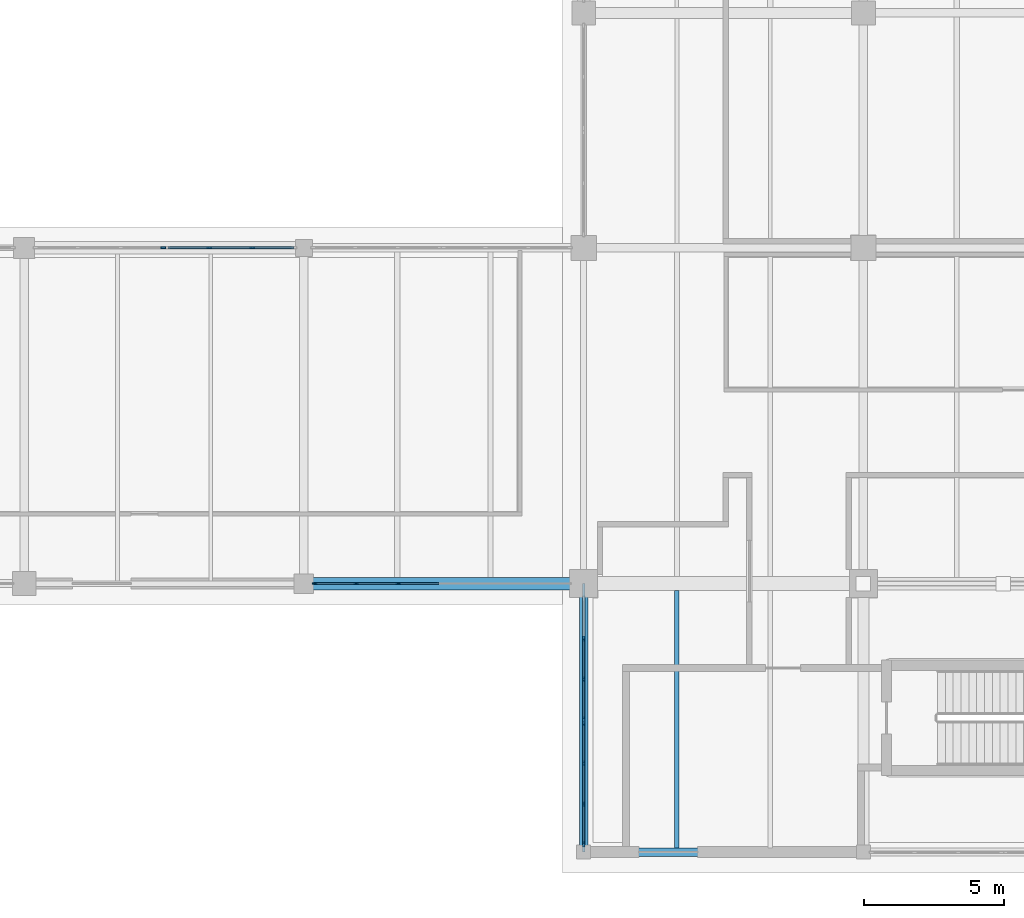
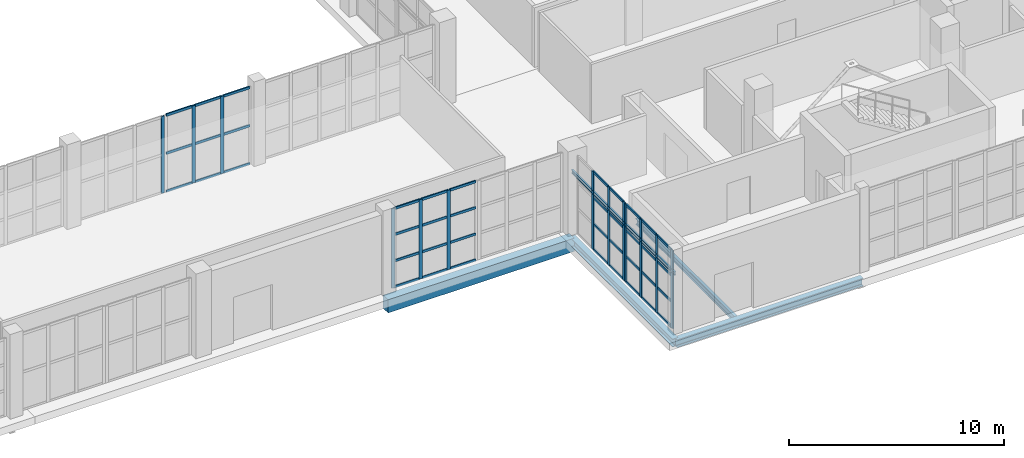
# One storey, part 31 of 121: 54 members, 5 beams, 5 elements without a shape of their own.
"""IFC4 building model written with IfcOpenShell, lengths in metres."""

from ifc_helpers import new_model, si_unit, direction, frame, origin, origin_2d, place, context, subcontext, project, spatial, rectangle, i_section, extrude, material, layer, layer_set, material_profile, profile_set, type_object, element, aggregate, save


model = new_model("IFC4")

# Units and contexts
model_context = context("Model", 3, precision=1e-05, world=origin(), true_north=direction((0.0, 1.0)))
body_context = subcontext(model_context, "Body", "Model", "MODEL_VIEW")
ifc_project = project(units=[si_unit("LENGTHUNIT", "METRE"), si_unit("AREAUNIT", "SQUARE_METRE"), si_unit("VOLUMEUNIT", "CUBIC_METRE"), si_unit("PLANEANGLEUNIT", "RADIAN"), si_unit("MASSUNIT", "GRAM", prefix="KILO")], contexts=[model_context])

# Site, building, storey
site_placement = place(None, origin())
site = spatial("IfcSite", under=ifc_project, at=site_placement, CompositionType="ELEMENT")
building_placement = place(site_placement, origin())
building = spatial("IfcBuilding", under=site, at=building_placement, Name="Zereglee Splitstone Museum", CompositionType="ELEMENT")
storey_placement = place(building_placement, origin())
storey = spatial("IfcBuildingStorey", under=building, at=storey_placement, Name="L00", CompositionType="ELEMENT", Elevation=0.0)

# Curtain wall, members
ifc_material_1 = material(Name="Triple-glazed low-E argon glass and bronze-anodised aluminium", Category="aluminium")
ifc_layer_1 = layer(ifc_material_1, 0.179931640625)
ifc_layer_set_1 = layer_set([ifc_layer_1], Name="Triple-glazed low-E argon glass and bronze-anodised aluminium")
curtain_wall_type_1 = type_object("IfcCurtainWallType", Name="CW-0461-438", PredefinedType="USERDEFINED", material=ifc_layer_set_1)
curtain_wall_1_placement = place(storey_placement, origin())
curtain_wall_1 = element("IfcCurtainWall", 1, at=curtain_wall_1_placement, inside=storey, type_object=curtain_wall_type_1, Name="Glazed Curtain Wall CW-0461-438 (L00)", ObjectType="GLAZED CURTAIN WALL", PredefinedType="USERDEFINED")
ifc_material_2 = material(Name="Thermally broken bronze-anodised aluminium", Category="aluminium")
ifc_material_profile_1 = material_profile(ifc_material_2, rectangle(XDim=0.06494140625, YDim=0.179931640625, at=origin_2d()), Name="CW MULL 65x180")
ifc_profile_set_1 = profile_set([ifc_material_profile_1], Name="Thermally broken bronze-anodised aluminium")
member_type_1 = type_object("IfcMemberType", Name="CWM-01", PredefinedType="MULLION", material=ifc_profile_set_1)
member_1_placement = place(storey_placement, frame((163.353759765625, 21.60009765625, 0.0), z_axis=(0.0, 0.0, 1.0), x_axis=(0.0, -1.0, 0.0)))
member_1 = element("IfcMember", 2, at=member_1_placement, type_object=member_type_1, Name="CW-0461-438 mullion 2", PredefinedType="MULLION", context=body_context, shape_type="SweptSolid", body=[
    extrude(rectangle(XDim=0.06494140625, YDim=0.179931640625, at=origin_2d()), origin(), (0.0, 0.0, 1.0), 4.3798828125),
])
member_2_placement = place(storey_placement, frame((161.815673828125, 21.60009765625, 0.0), z_axis=(0.0, 0.0, 1.0), x_axis=(0.0, -1.0, 0.0)))
member_2 = element("IfcMember", 3, at=member_2_placement, type_object=member_type_1, Name="CW-0461-438 mullion 3", PredefinedType="MULLION", context=body_context, shape_type="SweptSolid", body=[
    extrude(rectangle(XDim=0.06494140625, YDim=0.179931640625, at=origin_2d()), origin(), (0.0, 0.0, 1.0), 4.3798828125),
])

# Curtain wall, member
ifc_layer_2 = layer(ifc_material_1, 0.179931640625)
ifc_layer_set_2 = layer_set([ifc_layer_2], Name="Triple-glazed low-E argon glass and bronze-anodised aluminium")
curtain_wall_type_2 = type_object("IfcCurtainWallType", Name="CW-0461-436", PredefinedType="USERDEFINED", material=ifc_layer_set_2)
curtain_wall_2_placement = place(storey_placement, origin())
curtain_wall_2 = element("IfcCurtainWall", 4, at=curtain_wall_2_placement, inside=storey, type_object=curtain_wall_type_2, Name="Glazed Curtain Wall CW-0461-436 (L00)", ObjectType="GLAZED CURTAIN WALL", PredefinedType="USERDEFINED")
member_3_placement = place(storey_placement, frame((160.1650390625, 21.60009765625, 0.0), z_axis=(0.0, 0.0, 1.0), x_axis=(0.0, -1.0, 0.0)))
member_3 = element("IfcMember", 5, at=member_3_placement, type_object=member_type_1, Name="CW-0461-436 mullion 1", PredefinedType="MULLION", context=body_context, shape_type="SweptSolid", body=[
    extrude(rectangle(XDim=0.06494140625, YDim=0.179931640625, at=origin_2d()), origin(), (0.0, 0.0, 1.0), 4.360107421875),
])
aggregate(curtain_wall_2, [member_3])

# Curtain wall, members
ifc_layer_3 = layer(ifc_material_1, 0.179931640625)
ifc_layer_set_3 = layer_set([ifc_layer_3], Name="Triple-glazed low-E argon glass and bronze-anodised aluminium")
curtain_wall_type_3 = type_object("IfcCurtainWallType", Name="CW-0453-450", PredefinedType="USERDEFINED", material=ifc_layer_set_3)
curtain_wall_3_placement = place(storey_placement, origin())
curtain_wall_3 = element("IfcCurtainWall", 6, at=curtain_wall_3_placement, inside=storey, type_object=curtain_wall_type_3, Name="Glazed Curtain Wall CW-0453-450 (L00)", ObjectType="GLAZED CURTAIN WALL", PredefinedType="USERDEFINED")
member_4_placement = place(storey_placement, frame((165.590576171875, 9.60009765625, 0.0), z_axis=(0.0, 0.0, 1.0), x_axis=(0.0, 1.0, 0.0)))
member_4 = element("IfcMember", 7, at=member_4_placement, type_object=member_type_1, Name="CW-0453-450 mullion 1", PredefinedType="MULLION", context=body_context, shape_type="SweptSolid", body=[
    extrude(rectangle(XDim=0.06494140625, YDim=0.179931640625, at=origin_2d()), origin(), (0.0, 0.0, 1.0), 4.5),
])
member_5_placement = place(storey_placement, frame((167.06689453125, 9.60009765625, 0.0), z_axis=(0.0, 0.0, 1.0), x_axis=(0.0, 1.0, 0.0)))
member_5 = element("IfcMember", 8, at=member_5_placement, type_object=member_type_1, Name="CW-0453-450 mullion 2", PredefinedType="MULLION", context=body_context, shape_type="SweptSolid", body=[
    extrude(rectangle(XDim=0.06494140625, YDim=0.179931640625, at=origin_2d()), origin(), (0.0, 0.0, 1.0), 4.5),
])
member_6_placement = place(storey_placement, frame((168.575927734375, 9.60009765625, 0.0), z_axis=(0.0, 0.0, 1.0), x_axis=(0.0, 1.0, 0.0)))
member_6 = element("IfcMember", 9, at=member_6_placement, type_object=member_type_1, Name="CW-0453-450 mullion 3", PredefinedType="MULLION", context=body_context, shape_type="SweptSolid", body=[
    extrude(rectangle(XDim=0.06494140625, YDim=0.179931640625, at=origin_2d()), origin(), (0.0, 0.0, 1.0), 4.5),
])

ifc_layer_4 = layer(ifc_material_1, 0.179931640625)
ifc_layer_set_4 = layer_set([ifc_layer_4], Name="Triple-glazed low-E argon glass and bronze-anodised aluminium")
curtain_wall_type_4 = type_object("IfcCurtainWallType", Name="CW-0438-444", PredefinedType="USERDEFINED", material=ifc_layer_set_4)
curtain_wall_4_placement = place(storey_placement, origin())
curtain_wall_4 = element("IfcCurtainWall", 10, at=curtain_wall_4_placement, inside=storey, type_object=curtain_wall_type_4, Name="Glazed Curtain Wall CW-0438-444 (L00)", ObjectType="GLAZED CURTAIN WALL", PredefinedType="USERDEFINED")
member_7_placement = place(storey_placement, frame((175.199951171875, 7.633056640625, 0.0), z_axis=(0.0, 0.0, 1.0), x_axis=(1.0, 0.0, 0.0)))
member_7 = element("IfcMember", 11, at=member_7_placement, type_object=member_type_1, Name="CW-0438-444 mullion 2", PredefinedType="MULLION", context=body_context, shape_type="SweptSolid", body=[
    extrude(rectangle(XDim=0.06494140625, YDim=0.179931640625, at=origin_2d()), origin(), (0.0, 0.0, 1.0), 4.43994140625),
])
member_8_placement = place(storey_placement, frame((175.199951171875, 6.174072265625, 0.0), z_axis=(0.0, 0.0, 1.0), x_axis=(1.0, 0.0, 0.0)))
member_8 = element("IfcMember", 12, at=member_8_placement, type_object=member_type_1, Name="CW-0438-444 mullion 3", PredefinedType="MULLION", context=body_context, shape_type="SweptSolid", body=[
    extrude(rectangle(XDim=0.06494140625, YDim=0.179931640625, at=origin_2d()), origin(), (0.0, 0.0, 1.0), 4.43994140625),
])
member_9_placement = place(storey_placement, frame((175.199951171875, 4.74755859375, 0.0), z_axis=(0.0, 0.0, 1.0), x_axis=(1.0, 0.0, 0.0)))
member_9 = element("IfcMember", 13, at=member_9_placement, type_object=member_type_1, Name="CW-0438-444 mullion 4", PredefinedType="MULLION", context=body_context, shape_type="SweptSolid", body=[
    extrude(rectangle(XDim=0.06494140625, YDim=0.179931640625, at=origin_2d()), origin(), (0.0, 0.0, 1.0), 4.43994140625),
])

ifc_layer_5 = layer(ifc_material_1, 0.179931640625)
ifc_layer_set_5 = layer_set([ifc_layer_5], Name="Triple-glazed low-E argon glass and bronze-anodised aluminium")
curtain_wall_type_5 = type_object("IfcCurtainWallType", Name="CW-0438-442", PredefinedType="USERDEFINED", material=ifc_layer_set_5)
curtain_wall_5_placement = place(storey_placement, origin())
curtain_wall_5 = element("IfcCurtainWall", 14, at=curtain_wall_5_placement, inside=storey, type_object=curtain_wall_type_5, Name="Glazed Curtain Wall CW-0438-442 (L00)", ObjectType="GLAZED CURTAIN WALL", PredefinedType="USERDEFINED")
member_10_placement = place(storey_placement, frame((175.199951171875, 4.6025390625, 0.0), z_axis=(0.0, 0.0, 1.0), x_axis=(1.0, 0.0, 0.0)))
member_10 = element("IfcMember", 15, at=member_10_placement, type_object=member_type_1, Name="CW-0438-442 mullion 1", PredefinedType="MULLION", context=body_context, shape_type="SweptSolid", body=[
    extrude(rectangle(XDim=0.06494140625, YDim=0.179931640625, at=origin_2d()), origin(), (0.0, 0.0, 1.0), 4.419921875),
])
member_11_placement = place(storey_placement, frame((175.199951171875, 3.176025390625, 0.0), z_axis=(0.0, 0.0, 1.0), x_axis=(1.0, 0.0, 0.0)))
member_11 = element("IfcMember", 16, at=member_11_placement, type_object=member_type_1, Name="CW-0438-442 mullion 2", PredefinedType="MULLION", context=body_context, shape_type="SweptSolid", body=[
    extrude(rectangle(XDim=0.06494140625, YDim=0.179931640625, at=origin_2d()), origin(), (0.0, 0.0, 1.0), 4.419921875),
])
member_12_placement = place(storey_placement, frame((175.199951171875, 1.717041015625, 0.0), z_axis=(0.0, 0.0, 1.0), x_axis=(1.0, 0.0, 0.0)))
member_12 = element("IfcMember", 17, at=member_12_placement, type_object=member_type_1, Name="CW-0438-442 mullion 3", PredefinedType="MULLION", context=body_context, shape_type="SweptSolid", body=[
    extrude(rectangle(XDim=0.06494140625, YDim=0.179931640625, at=origin_2d()), origin(), (0.0, 0.0, 1.0), 4.419921875),
])
member_13_placement = place(storey_placement, frame((175.199951171875, 0.29052734375, 0.0), z_axis=(0.0, 0.0, 1.0), x_axis=(1.0, 0.0, 0.0)))
member_13 = element("IfcMember", 18, at=member_13_placement, type_object=member_type_1, Name="CW-0438-442 mullion 4", PredefinedType="MULLION", context=body_context, shape_type="SweptSolid", body=[
    extrude(rectangle(XDim=0.06494140625, YDim=0.179931640625, at=origin_2d()), origin(), (0.0, 0.0, 1.0), 4.419921875),
])

# Member
ifc_material_profile_2 = material_profile(ifc_material_2, rectangle(XDim=0.06494140625, YDim=0.139892578125, at=origin_2d()), Name="CW TRAN 65x140")
ifc_profile_set_2 = profile_set([ifc_material_profile_2], Name="Thermally broken bronze-anodised aluminium")
member_type_2 = type_object("IfcMemberType", Name="CWT-01", PredefinedType="USERDEFINED", material=ifc_profile_set_2)
member_14_placement = place(storey_placement, frame((164.826904296875, 21.60009765625, 0.032470703125), z_axis=(-1.0, 0.0, 0.0), x_axis=(0.0, -1.0, 0.0)))
member_14 = element("IfcMember", 19, at=member_14_placement, type_object=member_type_2, Name="CW-0461-438 transom 1.1", ObjectType="TRANSOM", PredefinedType="USERDEFINED", context=body_context, shape_type="SweptSolid", body=[
    extrude(rectangle(XDim=0.06494140625, YDim=0.139892578125, at=origin_2d()), origin(), (0.0, 0.0, 1.0), 1.440673828125),
])

member_15_placement = place(storey_placement, frame((164.826904296875, 21.60009765625, 2.18994140625), z_axis=(-1.0, 0.0, 0.0), x_axis=(0.0, -1.0, 0.0)))
member_15 = element("IfcMember", 20, at=member_15_placement, type_object=member_type_2, Name="CW-0461-438 transom 1.2", ObjectType="TRANSOM", PredefinedType="USERDEFINED", context=body_context, shape_type="SweptSolid", body=[
    extrude(rectangle(XDim=0.06494140625, YDim=0.139892578125, at=origin_2d()), origin(), (0.0, 0.0, 1.0), 1.440673828125),
])

member_16_placement = place(storey_placement, frame((164.826904296875, 21.60009765625, 4.347412109375), z_axis=(-1.0, 0.0, 0.0), x_axis=(0.0, -1.0, 0.0)))
member_16 = element("IfcMember", 21, at=member_16_placement, type_object=member_type_2, Name="CW-0461-438 transom 1.3", ObjectType="TRANSOM", PredefinedType="USERDEFINED", context=body_context, shape_type="SweptSolid", body=[
    extrude(rectangle(XDim=0.06494140625, YDim=0.139892578125, at=origin_2d()), origin(), (0.0, 0.0, 1.0), 1.440673828125),
])

member_17_placement = place(storey_placement, frame((163.3212890625, 21.60009765625, 0.032470703125), z_axis=(-1.0, 0.0, 0.0), x_axis=(0.0, -1.0, 0.0)))
member_17 = element("IfcMember", 22, at=member_17_placement, type_object=member_type_2, Name="CW-0461-438 transom 2.1", ObjectType="TRANSOM", PredefinedType="USERDEFINED", context=body_context, shape_type="SweptSolid", body=[
    extrude(rectangle(XDim=0.06494140625, YDim=0.139892578125, at=origin_2d()), origin(), (0.0, 0.0, 1.0), 1.47314453125),
])

member_18_placement = place(storey_placement, frame((163.3212890625, 21.60009765625, 2.18994140625), z_axis=(-1.0, 0.0, 0.0), x_axis=(0.0, -1.0, 0.0)))
member_18 = element("IfcMember", 23, at=member_18_placement, type_object=member_type_2, Name="CW-0461-438 transom 2.2", ObjectType="TRANSOM", PredefinedType="USERDEFINED", context=body_context, shape_type="SweptSolid", body=[
    extrude(rectangle(XDim=0.06494140625, YDim=0.139892578125, at=origin_2d()), origin(), (0.0, 0.0, 1.0), 1.47314453125),
])

member_19_placement = place(storey_placement, frame((163.3212890625, 21.60009765625, 4.347412109375), z_axis=(-1.0, 0.0, 0.0), x_axis=(0.0, -1.0, 0.0)))
member_19 = element("IfcMember", 24, at=member_19_placement, type_object=member_type_2, Name="CW-0461-438 transom 2.3", ObjectType="TRANSOM", PredefinedType="USERDEFINED", context=body_context, shape_type="SweptSolid", body=[
    extrude(rectangle(XDim=0.06494140625, YDim=0.139892578125, at=origin_2d()), origin(), (0.0, 0.0, 1.0), 1.47314453125),
])

member_20_placement = place(storey_placement, frame((161.783203125, 21.60009765625, 0.032470703125), z_axis=(-1.0, 0.0, 0.0), x_axis=(0.0, -1.0, 0.0)))
member_20 = element("IfcMember", 25, at=member_20_placement, type_object=member_type_2, Name="CW-0461-438 transom 3.1", ObjectType="TRANSOM", PredefinedType="USERDEFINED", context=body_context, shape_type="SweptSolid", body=[
    extrude(rectangle(XDim=0.06494140625, YDim=0.139892578125, at=origin_2d()), origin(), (0.0, 0.0, 1.0), 1.440673828125),
])

member_21_placement = place(storey_placement, frame((161.783203125, 21.60009765625, 2.18994140625), z_axis=(-1.0, 0.0, 0.0), x_axis=(0.0, -1.0, 0.0)))
member_21 = element("IfcMember", 26, at=member_21_placement, type_object=member_type_2, Name="CW-0461-438 transom 3.2", ObjectType="TRANSOM", PredefinedType="USERDEFINED", context=body_context, shape_type="SweptSolid", body=[
    extrude(rectangle(XDim=0.06494140625, YDim=0.139892578125, at=origin_2d()), origin(), (0.0, 0.0, 1.0), 1.440673828125),
])

member_22_placement = place(storey_placement, frame((161.783203125, 21.60009765625, 4.347412109375), z_axis=(-1.0, 0.0, 0.0), x_axis=(0.0, -1.0, 0.0)))
member_22 = element("IfcMember", 27, at=member_22_placement, type_object=member_type_2, Name="CW-0461-438 transom 3.3", ObjectType="TRANSOM", PredefinedType="USERDEFINED", context=body_context, shape_type="SweptSolid", body=[
    extrude(rectangle(XDim=0.06494140625, YDim=0.139892578125, at=origin_2d()), origin(), (0.0, 0.0, 1.0), 1.440673828125),
])

aggregate(curtain_wall_1, [member_1, member_2, member_14, member_15, member_16, member_17, member_18, member_19, member_20, member_21, member_22])

member_23_placement = place(storey_placement, frame((165.623046875, 9.60009765625, 0.032470703125), z_axis=(1.0, 0.0, 0.0), x_axis=(0.0, 1.0, 0.0)))
member_23 = element("IfcMember", 28, at=member_23_placement, type_object=member_type_2, Name="CW-0453-450 transom 1.1", ObjectType="TRANSOM", PredefinedType="USERDEFINED", context=body_context, shape_type="SweptSolid", body=[
    extrude(rectangle(XDim=0.06494140625, YDim=0.139892578125, at=origin_2d()), origin(), (0.0, 0.0, 1.0), 1.411376953125),
])

member_24_placement = place(storey_placement, frame((165.623046875, 9.60009765625, 1.5), z_axis=(1.0, 0.0, 0.0), x_axis=(0.0, 1.0, 0.0)))
member_24 = element("IfcMember", 29, at=member_24_placement, type_object=member_type_2, Name="CW-0453-450 transom 1.2", ObjectType="TRANSOM", PredefinedType="USERDEFINED", context=body_context, shape_type="SweptSolid", body=[
    extrude(rectangle(XDim=0.06494140625, YDim=0.139892578125, at=origin_2d()), origin(), (0.0, 0.0, 1.0), 1.411376953125),
])

member_25_placement = place(storey_placement, frame((165.623046875, 9.60009765625, 3.0), z_axis=(1.0, 0.0, 0.0), x_axis=(0.0, 1.0, 0.0)))
member_25 = element("IfcMember", 30, at=member_25_placement, type_object=member_type_2, Name="CW-0453-450 transom 1.3", ObjectType="TRANSOM", PredefinedType="USERDEFINED", context=body_context, shape_type="SweptSolid", body=[
    extrude(rectangle(XDim=0.06494140625, YDim=0.139892578125, at=origin_2d()), origin(), (0.0, 0.0, 1.0), 1.411376953125),
])

member_26_placement = place(storey_placement, frame((165.623046875, 9.60009765625, 4.467529296875), z_axis=(1.0, 0.0, 0.0), x_axis=(0.0, 1.0, 0.0)))
member_26 = element("IfcMember", 31, at=member_26_placement, type_object=member_type_2, Name="CW-0453-450 transom 1.4", ObjectType="TRANSOM", PredefinedType="USERDEFINED", context=body_context, shape_type="SweptSolid", body=[
    extrude(rectangle(XDim=0.06494140625, YDim=0.139892578125, at=origin_2d()), origin(), (0.0, 0.0, 1.0), 1.411376953125),
])

member_27_placement = place(storey_placement, frame((167.099609375, 9.60009765625, 0.032470703125), z_axis=(1.0, 0.0, 0.0), x_axis=(0.0, 1.0, 0.0)))
member_27 = element("IfcMember", 32, at=member_27_placement, type_object=member_type_2, Name="CW-0453-450 transom 2.1", ObjectType="TRANSOM", PredefinedType="USERDEFINED", context=body_context, shape_type="SweptSolid", body=[
    extrude(rectangle(XDim=0.06494140625, YDim=0.139892578125, at=origin_2d()), origin(), (0.0, 0.0, 1.0), 1.44384765625),
])

member_28_placement = place(storey_placement, frame((167.099609375, 9.60009765625, 1.5), z_axis=(1.0, 0.0, 0.0), x_axis=(0.0, 1.0, 0.0)))
member_28 = element("IfcMember", 33, at=member_28_placement, type_object=member_type_2, Name="CW-0453-450 transom 2.2", ObjectType="TRANSOM", PredefinedType="USERDEFINED", context=body_context, shape_type="SweptSolid", body=[
    extrude(rectangle(XDim=0.06494140625, YDim=0.139892578125, at=origin_2d()), origin(), (0.0, 0.0, 1.0), 1.44384765625),
])

member_29_placement = place(storey_placement, frame((167.099609375, 9.60009765625, 3.0), z_axis=(1.0, 0.0, 0.0), x_axis=(0.0, 1.0, 0.0)))
member_29 = element("IfcMember", 34, at=member_29_placement, type_object=member_type_2, Name="CW-0453-450 transom 2.3", ObjectType="TRANSOM", PredefinedType="USERDEFINED", context=body_context, shape_type="SweptSolid", body=[
    extrude(rectangle(XDim=0.06494140625, YDim=0.139892578125, at=origin_2d()), origin(), (0.0, 0.0, 1.0), 1.44384765625),
])

member_30_placement = place(storey_placement, frame((167.099609375, 9.60009765625, 4.467529296875), z_axis=(1.0, 0.0, 0.0), x_axis=(0.0, 1.0, 0.0)))
member_30 = element("IfcMember", 35, at=member_30_placement, type_object=member_type_2, Name="CW-0453-450 transom 2.4", ObjectType="TRANSOM", PredefinedType="USERDEFINED", context=body_context, shape_type="SweptSolid", body=[
    extrude(rectangle(XDim=0.06494140625, YDim=0.139892578125, at=origin_2d()), origin(), (0.0, 0.0, 1.0), 1.44384765625),
])

member_31_placement = place(storey_placement, frame((168.6083984375, 9.60009765625, 0.032470703125), z_axis=(1.0, 0.0, 0.0), x_axis=(0.0, 1.0, 0.0)))
member_31 = element("IfcMember", 36, at=member_31_placement, type_object=member_type_2, Name="CW-0453-450 transom 3.1", ObjectType="TRANSOM", PredefinedType="USERDEFINED", context=body_context, shape_type="SweptSolid", body=[
    extrude(rectangle(XDim=0.06494140625, YDim=0.139892578125, at=origin_2d()), origin(), (0.0, 0.0, 1.0), 1.41162109375),
])

member_32_placement = place(storey_placement, frame((168.6083984375, 9.60009765625, 1.5), z_axis=(1.0, 0.0, 0.0), x_axis=(0.0, 1.0, 0.0)))
member_32 = element("IfcMember", 37, at=member_32_placement, type_object=member_type_2, Name="CW-0453-450 transom 3.2", ObjectType="TRANSOM", PredefinedType="USERDEFINED", context=body_context, shape_type="SweptSolid", body=[
    extrude(rectangle(XDim=0.06494140625, YDim=0.139892578125, at=origin_2d()), origin(), (0.0, 0.0, 1.0), 1.41162109375),
])

member_33_placement = place(storey_placement, frame((168.6083984375, 9.60009765625, 3.0), z_axis=(1.0, 0.0, 0.0), x_axis=(0.0, 1.0, 0.0)))
member_33 = element("IfcMember", 38, at=member_33_placement, type_object=member_type_2, Name="CW-0453-450 transom 3.3", ObjectType="TRANSOM", PredefinedType="USERDEFINED", context=body_context, shape_type="SweptSolid", body=[
    extrude(rectangle(XDim=0.06494140625, YDim=0.139892578125, at=origin_2d()), origin(), (0.0, 0.0, 1.0), 1.41162109375),
])

member_34_placement = place(storey_placement, frame((168.6083984375, 9.60009765625, 4.467529296875), z_axis=(1.0, 0.0, 0.0), x_axis=(0.0, 1.0, 0.0)))
member_34 = element("IfcMember", 39, at=member_34_placement, type_object=member_type_2, Name="CW-0453-450 transom 3.4", ObjectType="TRANSOM", PredefinedType="USERDEFINED", context=body_context, shape_type="SweptSolid", body=[
    extrude(rectangle(XDim=0.06494140625, YDim=0.139892578125, at=origin_2d()), origin(), (0.0, 0.0, 1.0), 1.41162109375),
])

aggregate(curtain_wall_3, [member_4, member_5, member_6, member_23, member_24, member_25, member_26, member_27, member_28, member_29, member_30, member_31, member_32, member_33, member_34])

member_35_placement = place(storey_placement, frame((175.199951171875, 7.6005859375, 0.032470703125), z_axis=(0.0, -1.0, 0.0), x_axis=(1.0, 0.0, 0.0)))
member_35 = element("IfcMember", 40, at=member_35_placement, type_object=member_type_2, Name="CW-0438-444 transom 2.1", ObjectType="TRANSOM", PredefinedType="USERDEFINED", context=body_context, shape_type="SweptSolid", body=[
    extrude(rectangle(XDim=0.06494140625, YDim=0.139892578125, at=origin_2d()), origin(), (0.0, 0.0, 1.0), 1.39404296875),
])

member_36_placement = place(storey_placement, frame((175.199951171875, 7.6005859375, 1.47998046875), z_axis=(0.0, -1.0, 0.0), x_axis=(1.0, 0.0, 0.0)))
member_36 = element("IfcMember", 41, at=member_36_placement, type_object=member_type_2, Name="CW-0438-444 transom 2.2", ObjectType="TRANSOM", PredefinedType="USERDEFINED", context=body_context, shape_type="SweptSolid", body=[
    extrude(rectangle(XDim=0.06494140625, YDim=0.139892578125, at=origin_2d()), origin(), (0.0, 0.0, 1.0), 1.39404296875),
])

member_37_placement = place(storey_placement, frame((175.199951171875, 7.6005859375, 2.9599609375), z_axis=(0.0, -1.0, 0.0), x_axis=(1.0, 0.0, 0.0)))
member_37 = element("IfcMember", 42, at=member_37_placement, type_object=member_type_2, Name="CW-0438-444 transom 2.3", ObjectType="TRANSOM", PredefinedType="USERDEFINED", context=body_context, shape_type="SweptSolid", body=[
    extrude(rectangle(XDim=0.06494140625, YDim=0.139892578125, at=origin_2d()), origin(), (0.0, 0.0, 1.0), 1.39404296875),
])

member_38_placement = place(storey_placement, frame((175.199951171875, 7.6005859375, 4.407470703125), z_axis=(0.0, -1.0, 0.0), x_axis=(1.0, 0.0, 0.0)))
member_38 = element("IfcMember", 43, at=member_38_placement, type_object=member_type_2, Name="CW-0438-444 transom 2.4", ObjectType="TRANSOM", PredefinedType="USERDEFINED", context=body_context, shape_type="SweptSolid", body=[
    extrude(rectangle(XDim=0.06494140625, YDim=0.139892578125, at=origin_2d()), origin(), (0.0, 0.0, 1.0), 1.39404296875),
])

member_39_placement = place(storey_placement, frame((175.199951171875, 6.1416015625, 0.032470703125), z_axis=(0.0, -1.0, 0.0), x_axis=(1.0, 0.0, 0.0)))
member_39 = element("IfcMember", 44, at=member_39_placement, type_object=member_type_2, Name="CW-0438-444 transom 3.1", ObjectType="TRANSOM", PredefinedType="USERDEFINED", context=body_context, shape_type="SweptSolid", body=[
    extrude(rectangle(XDim=0.06494140625, YDim=0.139892578125, at=origin_2d()), origin(), (0.0, 0.0, 1.0), 1.361572265625),
])

member_40_placement = place(storey_placement, frame((175.199951171875, 6.1416015625, 1.47998046875), z_axis=(0.0, -1.0, 0.0), x_axis=(1.0, 0.0, 0.0)))
member_40 = element("IfcMember", 45, at=member_40_placement, type_object=member_type_2, Name="CW-0438-444 transom 3.2", ObjectType="TRANSOM", PredefinedType="USERDEFINED", context=body_context, shape_type="SweptSolid", body=[
    extrude(rectangle(XDim=0.06494140625, YDim=0.139892578125, at=origin_2d()), origin(), (0.0, 0.0, 1.0), 1.361572265625),
])

member_41_placement = place(storey_placement, frame((175.199951171875, 6.1416015625, 2.9599609375), z_axis=(0.0, -1.0, 0.0), x_axis=(1.0, 0.0, 0.0)))
member_41 = element("IfcMember", 46, at=member_41_placement, type_object=member_type_2, Name="CW-0438-444 transom 3.3", ObjectType="TRANSOM", PredefinedType="USERDEFINED", context=body_context, shape_type="SweptSolid", body=[
    extrude(rectangle(XDim=0.06494140625, YDim=0.139892578125, at=origin_2d()), origin(), (0.0, 0.0, 1.0), 1.361572265625),
])

member_42_placement = place(storey_placement, frame((175.199951171875, 6.1416015625, 4.407470703125), z_axis=(0.0, -1.0, 0.0), x_axis=(1.0, 0.0, 0.0)))
member_42 = element("IfcMember", 47, at=member_42_placement, type_object=member_type_2, Name="CW-0438-444 transom 3.4", ObjectType="TRANSOM", PredefinedType="USERDEFINED", context=body_context, shape_type="SweptSolid", body=[
    extrude(rectangle(XDim=0.06494140625, YDim=0.139892578125, at=origin_2d()), origin(), (0.0, 0.0, 1.0), 1.361572265625),
])

aggregate(curtain_wall_4, [member_7, member_8, member_9, member_35, member_36, member_37, member_38, member_39, member_40, member_41, member_42])

member_43_placement = place(storey_placement, frame((175.199951171875, 4.570068359375, 0.032470703125), z_axis=(0.0, -1.0, 0.0), x_axis=(1.0, 0.0, 0.0)))
member_43 = element("IfcMember", 48, at=member_43_placement, type_object=member_type_2, Name="CW-0438-442 transom 1.1", ObjectType="TRANSOM", PredefinedType="USERDEFINED", context=body_context, shape_type="SweptSolid", body=[
    extrude(rectangle(XDim=0.06494140625, YDim=0.139892578125, at=origin_2d()), origin(), (0.0, 0.0, 1.0), 1.361572265625),
])

member_44_placement = place(storey_placement, frame((175.199951171875, 4.570068359375, 1.473388671875), z_axis=(0.0, -1.0, 0.0), x_axis=(1.0, 0.0, 0.0)))
member_44 = element("IfcMember", 49, at=member_44_placement, type_object=member_type_2, Name="CW-0438-442 transom 1.2", ObjectType="TRANSOM", PredefinedType="USERDEFINED", context=body_context, shape_type="SweptSolid", body=[
    extrude(rectangle(XDim=0.06494140625, YDim=0.139892578125, at=origin_2d()), origin(), (0.0, 0.0, 1.0), 1.361572265625),
])

member_45_placement = place(storey_placement, frame((175.199951171875, 4.570068359375, 2.94677734375), z_axis=(0.0, -1.0, 0.0), x_axis=(1.0, 0.0, 0.0)))
member_45 = element("IfcMember", 50, at=member_45_placement, type_object=member_type_2, Name="CW-0438-442 transom 1.3", ObjectType="TRANSOM", PredefinedType="USERDEFINED", context=body_context, shape_type="SweptSolid", body=[
    extrude(rectangle(XDim=0.06494140625, YDim=0.139892578125, at=origin_2d()), origin(), (0.0, 0.0, 1.0), 1.361572265625),
])

member_46_placement = place(storey_placement, frame((175.199951171875, 4.570068359375, 4.387451171875), z_axis=(0.0, -1.0, 0.0), x_axis=(1.0, 0.0, 0.0)))
member_46 = element("IfcMember", 51, at=member_46_placement, type_object=member_type_2, Name="CW-0438-442 transom 1.4", ObjectType="TRANSOM", PredefinedType="USERDEFINED", context=body_context, shape_type="SweptSolid", body=[
    extrude(rectangle(XDim=0.06494140625, YDim=0.139892578125, at=origin_2d()), origin(), (0.0, 0.0, 1.0), 1.361572265625),
])

member_47_placement = place(storey_placement, frame((175.199951171875, 3.1435546875, 0.032470703125), z_axis=(0.0, -1.0, 0.0), x_axis=(1.0, 0.0, 0.0)))
member_47 = element("IfcMember", 52, at=member_47_placement, type_object=member_type_2, Name="CW-0438-442 transom 2.1", ObjectType="TRANSOM", PredefinedType="USERDEFINED", context=body_context, shape_type="SweptSolid", body=[
    extrude(rectangle(XDim=0.06494140625, YDim=0.139892578125, at=origin_2d()), origin(), (0.0, 0.0, 1.0), 1.39404296875),
])

member_48_placement = place(storey_placement, frame((175.199951171875, 3.1435546875, 1.473388671875), z_axis=(0.0, -1.0, 0.0), x_axis=(1.0, 0.0, 0.0)))
member_48 = element("IfcMember", 53, at=member_48_placement, type_object=member_type_2, Name="CW-0438-442 transom 2.2", ObjectType="TRANSOM", PredefinedType="USERDEFINED", context=body_context, shape_type="SweptSolid", body=[
    extrude(rectangle(XDim=0.06494140625, YDim=0.139892578125, at=origin_2d()), origin(), (0.0, 0.0, 1.0), 1.39404296875),
])

member_49_placement = place(storey_placement, frame((175.199951171875, 3.1435546875, 2.94677734375), z_axis=(0.0, -1.0, 0.0), x_axis=(1.0, 0.0, 0.0)))
member_49 = element("IfcMember", 54, at=member_49_placement, type_object=member_type_2, Name="CW-0438-442 transom 2.3", ObjectType="TRANSOM", PredefinedType="USERDEFINED", context=body_context, shape_type="SweptSolid", body=[
    extrude(rectangle(XDim=0.06494140625, YDim=0.139892578125, at=origin_2d()), origin(), (0.0, 0.0, 1.0), 1.39404296875),
])

member_50_placement = place(storey_placement, frame((175.199951171875, 3.1435546875, 4.387451171875), z_axis=(0.0, -1.0, 0.0), x_axis=(1.0, 0.0, 0.0)))
member_50 = element("IfcMember", 55, at=member_50_placement, type_object=member_type_2, Name="CW-0438-442 transom 2.4", ObjectType="TRANSOM", PredefinedType="USERDEFINED", context=body_context, shape_type="SweptSolid", body=[
    extrude(rectangle(XDim=0.06494140625, YDim=0.139892578125, at=origin_2d()), origin(), (0.0, 0.0, 1.0), 1.39404296875),
])

member_51_placement = place(storey_placement, frame((175.199951171875, 1.6845703125, 0.032470703125), z_axis=(0.0, -1.0, 0.0), x_axis=(1.0, 0.0, 0.0)))
member_51 = element("IfcMember", 56, at=member_51_placement, type_object=member_type_2, Name="CW-0438-442 transom 3.1", ObjectType="TRANSOM", PredefinedType="USERDEFINED", context=body_context, shape_type="SweptSolid", body=[
    extrude(rectangle(XDim=0.06494140625, YDim=0.139892578125, at=origin_2d()), origin(), (0.0, 0.0, 1.0), 1.361572265625),
])

member_52_placement = place(storey_placement, frame((175.199951171875, 1.6845703125, 1.473388671875), z_axis=(0.0, -1.0, 0.0), x_axis=(1.0, 0.0, 0.0)))
member_52 = element("IfcMember", 57, at=member_52_placement, type_object=member_type_2, Name="CW-0438-442 transom 3.2", ObjectType="TRANSOM", PredefinedType="USERDEFINED", context=body_context, shape_type="SweptSolid", body=[
    extrude(rectangle(XDim=0.06494140625, YDim=0.139892578125, at=origin_2d()), origin(), (0.0, 0.0, 1.0), 1.361572265625),
])

member_53_placement = place(storey_placement, frame((175.199951171875, 1.6845703125, 2.94677734375), z_axis=(0.0, -1.0, 0.0), x_axis=(1.0, 0.0, 0.0)))
member_53 = element("IfcMember", 58, at=member_53_placement, type_object=member_type_2, Name="CW-0438-442 transom 3.3", ObjectType="TRANSOM", PredefinedType="USERDEFINED", context=body_context, shape_type="SweptSolid", body=[
    extrude(rectangle(XDim=0.06494140625, YDim=0.139892578125, at=origin_2d()), origin(), (0.0, 0.0, 1.0), 1.361572265625),
])

member_54_placement = place(storey_placement, frame((175.199951171875, 1.6845703125, 4.387451171875), z_axis=(0.0, -1.0, 0.0), x_axis=(1.0, 0.0, 0.0)))
member_54 = element("IfcMember", 59, at=member_54_placement, type_object=member_type_2, Name="CW-0438-442 transom 3.4", ObjectType="TRANSOM", PredefinedType="USERDEFINED", context=body_context, shape_type="SweptSolid", body=[
    extrude(rectangle(XDim=0.06494140625, YDim=0.139892578125, at=origin_2d()), origin(), (0.0, 0.0, 1.0), 1.361572265625),
])

aggregate(curtain_wall_5, [member_10, member_11, member_12, member_13, member_43, member_44, member_45, member_46, member_47, member_48, member_49, member_50, member_51, member_52, member_53, member_54])

# Beams
ifc_material_3 = material(Name="Steel S355J2", Category="steel")
ifc_material_profile_3 = material_profile(ifc_material_3, i_section(OverallWidth=0.159912109375, OverallDepth=0.330078125, WebThickness=0.007568359375, FlangeThickness=0.011474609375, FilletRadius=0.01806640625, at=origin_2d()), Name="IPE 330")
ifc_profile_set_3 = profile_set([ifc_material_profile_3], Name="Steel S355J2")
beam_type_1 = type_object("IfcBeamType", Name="BJ-05", PredefinedType="JOIST", material=ifc_profile_set_3)
beam_1_placement = place(storey_placement, frame((178.533203125, 0.14990234375, -0.5849609375), z_axis=(0.0, 1.0, 0.0), x_axis=(-1.0, 0.0, 0.0)))
element("IfcBeam", 60, at=beam_1_placement, inside=storey, type_object=beam_type_1, Name="Secondary Floor Joist L00-0263", PredefinedType="JOIST", context=body_context, shape_type="SweptSolid", body=[
    extrude(i_section(OverallWidth=0.159912109375, OverallDepth=0.330078125, WebThickness=0.007568359375, FlangeThickness=0.011474609375, FilletRadius=0.01806640625, at=origin_2d()), origin(), (0.0, 0.0, 1.0), 9.2001953125),
])
ifc_material_profile_4 = material_profile(ifc_material_3, i_section(OverallWidth=0.10009765625, OverallDepth=0.199951171875, WebThickness=0.005615234375, FlangeThickness=0.008544921875, FilletRadius=0.011962890625, at=origin_2d()), Name="IPE 200")
ifc_profile_set_4 = profile_set([ifc_material_profile_4], Name="Steel S355J2")
beam_type_2 = type_object("IfcBeamType", Name="LN-02", PredefinedType="LINTEL", material=ifc_profile_set_4)
beam_2_placement = place(storey_placement, frame((175.199951171875, 0.0, 3.25), z_axis=(0.0, 1.0, 0.0), x_axis=(-1.0, 0.0, 0.0)))
element("IfcBeam", 61, at=beam_2_placement, inside=storey, type_object=beam_type_2, Name="Pishtaq Portal Lintel LNT-09", PredefinedType="LINTEL", context=body_context, shape_type="SweptSolid", body=[
    extrude(i_section(OverallWidth=0.10009765625, OverallDepth=0.199951171875, WebThickness=0.005615234375, FlangeThickness=0.008544921875, FilletRadius=0.011962890625, at=origin_2d()), origin(), (0.0, 0.0, 1.0), 9.60009765625),
])
ifc_material_profile_5 = material_profile(ifc_material_3, i_section(OverallWidth=0.300048828125, OverallDepth=0.449951171875, WebThickness=0.013916015625, FlangeThickness=0.02587890625, FilletRadius=0.027099609375, at=origin_2d()), Name="HE 450 B")
ifc_profile_set_5 = profile_set([ifc_material_profile_5], Name="Steel S355J2")
beam_type_3 = type_object("IfcBeamType", Name="SP-02", PredefinedType="SPANDREL", material=ifc_profile_set_5)
beam_3_placement = place(storey_placement, frame((175.199951171875, 0.0, -0.64501953125), z_axis=(1.0, 0.0, 0.0), x_axis=(0.0, 1.0, 0.0)))
element("IfcBeam", 62, at=beam_3_placement, inside=storey, type_object=beam_type_3, Name="Primary Girder L00 A (175.2-185.2)", PredefinedType="SPANDREL", context=body_context, shape_type="SweptSolid", body=[
    extrude(i_section(OverallWidth=0.300048828125, OverallDepth=0.449951171875, WebThickness=0.013916015625, FlangeThickness=0.02587890625, FilletRadius=0.027099609375, at=origin_2d()), origin(), (0.0, 0.0, 1.0), 10.0),
])
beam_4_placement = place(storey_placement, frame((175.199951171875, 0.0, -0.64501953125), z_axis=(0.0, 1.0, 0.0), x_axis=(-1.0, 0.0, 0.0)))
element("IfcBeam", 63, at=beam_4_placement, inside=storey, type_object=beam_type_3, Name="Primary Girder L00 20 (0.0-9.6)", PredefinedType="SPANDREL", context=body_context, shape_type="SweptSolid", body=[
    extrude(i_section(OverallWidth=0.300048828125, OverallDepth=0.449951171875, WebThickness=0.013916015625, FlangeThickness=0.02587890625, FilletRadius=0.027099609375, at=origin_2d()), origin(), (0.0, 0.0, 1.0), 9.60009765625),
])
ifc_material_4 = material(Name="Concrete C40/50", Category="concrete")
ifc_material_profile_6 = material_profile(ifc_material_4, rectangle(XDim=0.449951171875, YDim=0.75, at=origin_2d()), Name="RC 450x750")
ifc_profile_set_6 = profile_set([ifc_material_profile_6], Name="Concrete C40/50")
beam_type_4 = type_object("IfcBeamType", Name="SP-01", PredefinedType="SPANDREL", material=ifc_profile_set_6)
beam_5_placement = place(storey_placement, frame((165.199951171875, 9.60009765625, -0.794921875), z_axis=(1.0, 0.0, 0.0), x_axis=(0.0, 1.0, 0.0)))
element("IfcBeam", 64, at=beam_5_placement, inside=storey, type_object=beam_type_4, Name="Primary Girder L00 B (165.2-175.2)", PredefinedType="SPANDREL", context=body_context, shape_type="SweptSolid", body=[
    extrude(rectangle(XDim=0.449951171875, YDim=0.75, at=origin_2d()), origin(), (0.0, 0.0, 1.0), 10.0),
])

save(model, "model.ifc")
